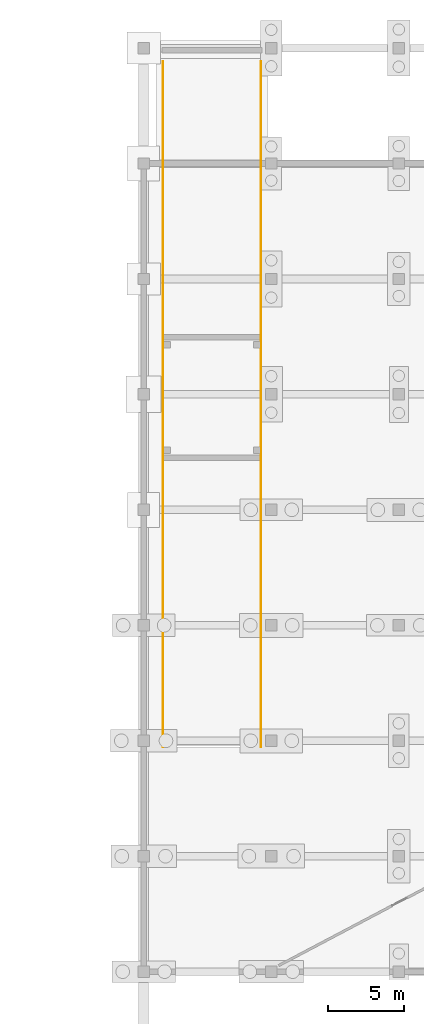
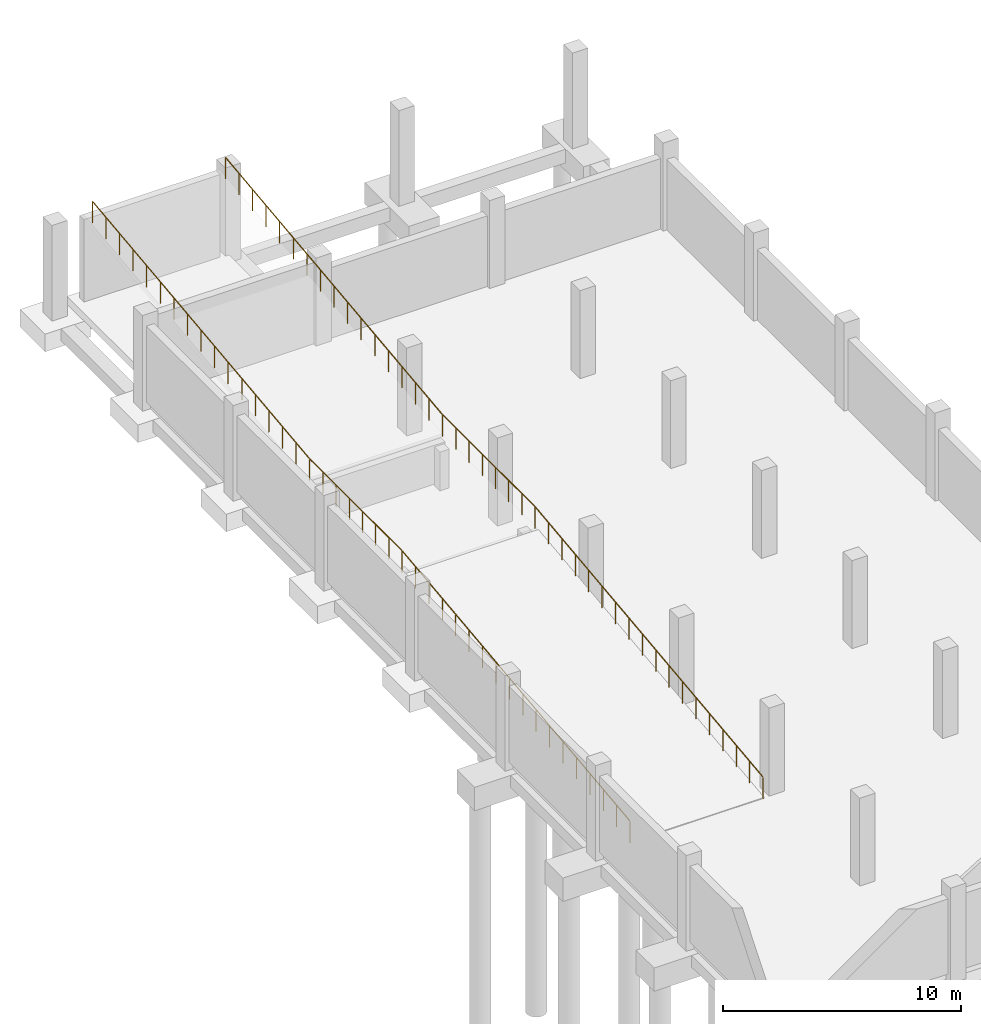
# One storey, part 21 of 22: 2 railings.
"""IFC4 building model written with IfcOpenShell, lengths in metres."""

from ifc_helpers import new_model, si_unit, direction, frame, origin, origin_2d, place, context, subcontext, project, spatial, circle, extrude, material, type_object, element, save


model = new_model("IFC4")

# Units and contexts
model_context = context("Model", 3, precision=1e-05, world=origin(), true_north=direction((0.0, 1.0)))
body_context = subcontext(model_context, "Body", "Model", "MODEL_VIEW")
ifc_project = project(units=[si_unit("LENGTHUNIT", "METRE"), si_unit("AREAUNIT", "SQUARE_METRE"), si_unit("VOLUMEUNIT", "CUBIC_METRE"), si_unit("PLANEANGLEUNIT", "RADIAN"), si_unit("MASSUNIT", "GRAM", prefix="KILO")], contexts=[model_context])

# Site, building, storey
site_placement = place(None, origin())
site = spatial("IfcSite", under=ifc_project, at=site_placement, CompositionType="ELEMENT")
building_placement = place(site_placement, origin())
building = spatial("IfcBuilding", under=site, at=building_placement, Name="Zuvorla Pavilion Media Centre", CompositionType="ELEMENT")
storey_placement = place(building_placement, frame((0.0, 0.0, -4.5)))
storey = spatial("IfcBuildingStorey", under=building, at=storey_placement, Name="B01", CompositionType="ELEMENT", Elevation=-4.5)

# Railings
ifc_material = material(Name="Powder-coated steel balustrade guard", Category="steel")
railing_type = type_object("IfcRailingType", Name="RL-INT-GRD", PredefinedType="BALUSTRADE", material=ifc_material)
railing_1_placement = place(storey_placement, frame((17.679931640625, 74.0, 0.0)))
element("IfcRailing", 1, at=railing_1_placement, inside=storey, type_object=railing_type, Name="Car park ramp R1 guard W", PredefinedType="BALUSTRADE", context=body_context, shape_type="SweptSolid", body=[
    extrude(circle(Radius=0.02392578125, at=origin_2d()), frame((0.0, 0.028564453125, 1.099365234375), z_axis=(0.0, 0.993150604323, 0.116841247567), x_axis=(-1.0, 0.0, 0.0)), (0.0, 0.0, 1.0), 19.19921875),
    extrude(circle(Radius=0.02392578125, at=origin_2d()), frame((0.0, 19.15380859375, 3.34619140625), z_axis=(0.0, 1.0, 0.0), x_axis=(-1.0, 0.0, 0.0)), (0.0, 0.0, 1.0), 7.6923828125),
    extrude(circle(Radius=0.02392578125, at=origin_2d()), frame((0.0, 26.903564453125, 3.349365234375), z_axis=(0.0, 0.993177368751, 0.116613524944), x_axis=(-1.0, 0.0, 0.0)), (0.0, 0.0, 1.0), 18.29248046875),
    extrude(circle(Radius=0.02099609375, at=origin_2d()), origin(), (0.0, 0.0, 1.0), 1.070068359375),
    extrude(circle(Radius=0.02099609375, at=origin_2d()), frame((0.0, 1.125, 0.13232421875)), (0.0, 0.0, 1.0), 1.070068359375),
    extrude(circle(Radius=0.02099609375, at=origin_2d()), frame((0.0, 2.25, 0.2646484375)), (0.0, 0.0, 1.0), 1.070068359375),
    extrude(circle(Radius=0.02099609375, at=origin_2d()), frame((0.0, 3.375, 0.39697265625)), (0.0, 0.0, 1.0), 1.070068359375),
    extrude(circle(Radius=0.02099609375, at=origin_2d()), frame((0.0, 4.5, 0.529296875)), (0.0, 0.0, 1.0), 1.070068359375),
    extrude(circle(Radius=0.02099609375, at=origin_2d()), frame((0.0, 5.625, 0.661865234375)), (0.0, 0.0, 1.0), 1.070068359375),
    extrude(circle(Radius=0.02099609375, at=origin_2d()), frame((0.0, 6.75, 0.794189453125)), (0.0, 0.0, 1.0), 1.070068359375),
    extrude(circle(Radius=0.02099609375, at=origin_2d()), frame((0.0, 7.875, 0.926513671875)), (0.0, 0.0, 1.0), 1.070068359375),
    extrude(circle(Radius=0.02099609375, at=origin_2d()), frame((0.0, 9.0, 1.058837890625)), (0.0, 0.0, 1.0), 1.070068359375),
    extrude(circle(Radius=0.02099609375, at=origin_2d()), frame((0.0, 10.125, 1.191162109375)), (0.0, 0.0, 1.0), 1.070068359375),
    extrude(circle(Radius=0.02099609375, at=origin_2d()), frame((0.0, 11.25, 1.323486328125)), (0.0, 0.0, 1.0), 1.070068359375),
    extrude(circle(Radius=0.02099609375, at=origin_2d()), frame((0.0, 12.375, 1.455810546875)), (0.0, 0.0, 1.0), 1.070068359375),
    extrude(circle(Radius=0.02099609375, at=origin_2d()), frame((0.0, 13.5, 1.588134765625)), (0.0, 0.0, 1.0), 1.070068359375),
    extrude(circle(Radius=0.02099609375, at=origin_2d()), frame((0.0, 14.625, 1.720703125)), (0.0, 0.0, 1.0), 1.070068359375),
    extrude(circle(Radius=0.02099609375, at=origin_2d()), frame((0.0, 15.75, 1.85302734375)), (0.0, 0.0, 1.0), 1.070068359375),
    extrude(circle(Radius=0.02099609375, at=origin_2d()), frame((0.0, 16.875, 1.9853515625)), (0.0, 0.0, 1.0), 1.070068359375),
    extrude(circle(Radius=0.02099609375, at=origin_2d()), frame((0.0, 18.0, 2.11767578125)), (0.0, 0.0, 1.0), 1.070068359375),
    extrude(circle(Radius=0.02099609375, at=origin_2d()), frame((0.0, 19.125, 2.25)), (0.0, 0.0, 1.0), 1.070068359375),
    extrude(circle(Radius=0.02099609375, at=origin_2d()), frame((0.0, 20.232177734375, 2.25)), (0.0, 0.0, 1.0), 1.070068359375),
    extrude(circle(Radius=0.02099609375, at=origin_2d()), frame((0.0, 21.33935546875, 2.25)), (0.0, 0.0, 1.0), 1.070068359375),
    extrude(circle(Radius=0.02099609375, at=origin_2d()), frame((0.0, 22.446533203125, 2.25)), (0.0, 0.0, 1.0), 1.070068359375),
    extrude(circle(Radius=0.02099609375, at=origin_2d()), frame((0.0, 23.553466796875, 2.25)), (0.0, 0.0, 1.0), 1.070068359375),
    extrude(circle(Radius=0.02099609375, at=origin_2d()), frame((0.0, 24.66064453125, 2.25)), (0.0, 0.0, 1.0), 1.070068359375),
    extrude(circle(Radius=0.02099609375, at=origin_2d()), frame((0.0, 25.767822265625, 2.25)), (0.0, 0.0, 1.0), 1.070068359375),
    extrude(circle(Radius=0.02099609375, at=origin_2d()), frame((0.0, 26.875, 2.25)), (0.0, 0.0, 1.0), 1.070068359375),
    extrude(circle(Radius=0.02099609375, at=origin_2d()), frame((0.0, 28.01416015625, 2.3837890625)), (0.0, 0.0, 1.0), 1.070068359375),
    extrude(circle(Radius=0.02099609375, at=origin_2d()), frame((0.0, 29.153076171875, 2.517578125)), (0.0, 0.0, 1.0), 1.070068359375),
    extrude(circle(Radius=0.02099609375, at=origin_2d()), frame((0.0, 30.292236328125, 2.651123046875)), (0.0, 0.0, 1.0), 1.070068359375),
    extrude(circle(Radius=0.02099609375, at=origin_2d()), frame((0.0, 31.43115234375, 2.784912109375)), (0.0, 0.0, 1.0), 1.070068359375),
    extrude(circle(Radius=0.02099609375, at=origin_2d()), frame((0.0, 32.5703125, 2.918701171875)), (0.0, 0.0, 1.0), 1.070068359375),
    extrude(circle(Radius=0.02099609375, at=origin_2d()), frame((0.0, 33.70947265625, 3.052490234375)), (0.0, 0.0, 1.0), 1.070068359375),
    extrude(circle(Radius=0.02099609375, at=origin_2d()), frame((0.0, 34.848388671875, 3.186279296875)), (0.0, 0.0, 1.0), 1.070068359375),
    extrude(circle(Radius=0.02099609375, at=origin_2d()), frame((0.0, 35.987548828125, 3.31982421875)), (0.0, 0.0, 1.0), 1.070068359375),
    extrude(circle(Radius=0.02099609375, at=origin_2d()), frame((0.0, 37.126708984375, 3.45361328125)), (0.0, 0.0, 1.0), 1.070068359375),
    extrude(circle(Radius=0.02099609375, at=origin_2d()), frame((0.0, 38.265625, 3.58740234375)), (0.0, 0.0, 1.0), 1.070068359375),
    extrude(circle(Radius=0.02099609375, at=origin_2d()), frame((0.0, 39.40478515625, 3.72119140625)), (0.0, 0.0, 1.0), 1.070068359375),
    extrude(circle(Radius=0.02099609375, at=origin_2d()), frame((0.0, 40.5439453125, 3.85498046875)), (0.0, 0.0, 1.0), 1.070068359375),
    extrude(circle(Radius=0.02099609375, at=origin_2d()), frame((0.0, 41.682861328125, 3.98876953125)), (0.0, 0.0, 1.0), 1.070068359375),
    extrude(circle(Radius=0.02099609375, at=origin_2d()), frame((0.0, 42.822021484375, 4.122314453125)), (0.0, 0.0, 1.0), 1.070068359375),
    extrude(circle(Radius=0.02099609375, at=origin_2d()), frame((0.0, 43.9609375, 4.256103515625)), (0.0, 0.0, 1.0), 1.070068359375),
    extrude(circle(Radius=0.02099609375, at=origin_2d()), frame((0.0, 45.10009765625, 4.389892578125)), (0.0, 0.0, 1.0), 1.070068359375),
])
railing_2_placement = place(storey_placement, frame((24.1201171875, 74.0, 0.0)))
element("IfcRailing", 2, at=railing_2_placement, inside=storey, type_object=railing_type, Name="Car park ramp R1 guard E", PredefinedType="BALUSTRADE", context=body_context, shape_type="SweptSolid", body=[
    extrude(circle(Radius=0.02392578125, at=origin_2d()), frame((0.0, 0.028564453125, 1.099365234375), z_axis=(0.0, 0.993150604323, 0.116841247567), x_axis=(-1.0, 0.0, 0.0)), (0.0, 0.0, 1.0), 19.19921875),
    extrude(circle(Radius=0.02392578125, at=origin_2d()), frame((0.0, 19.15380859375, 3.34619140625), z_axis=(0.0, 1.0, 0.0), x_axis=(-1.0, 0.0, 0.0)), (0.0, 0.0, 1.0), 7.6923828125),
    extrude(circle(Radius=0.02392578125, at=origin_2d()), frame((0.0, 26.903564453125, 3.349365234375), z_axis=(0.0, 0.993177368751, 0.116613524944), x_axis=(-1.0, 0.0, 0.0)), (0.0, 0.0, 1.0), 18.29248046875),
    extrude(circle(Radius=0.02099609375, at=origin_2d()), origin(), (0.0, 0.0, 1.0), 1.070068359375),
    extrude(circle(Radius=0.02099609375, at=origin_2d()), frame((0.0, 1.125, 0.13232421875)), (0.0, 0.0, 1.0), 1.070068359375),
    extrude(circle(Radius=0.02099609375, at=origin_2d()), frame((0.0, 2.25, 0.2646484375)), (0.0, 0.0, 1.0), 1.070068359375),
    extrude(circle(Radius=0.02099609375, at=origin_2d()), frame((0.0, 3.375, 0.39697265625)), (0.0, 0.0, 1.0), 1.070068359375),
    extrude(circle(Radius=0.02099609375, at=origin_2d()), frame((0.0, 4.5, 0.529296875)), (0.0, 0.0, 1.0), 1.070068359375),
    extrude(circle(Radius=0.02099609375, at=origin_2d()), frame((0.0, 5.625, 0.661865234375)), (0.0, 0.0, 1.0), 1.070068359375),
    extrude(circle(Radius=0.02099609375, at=origin_2d()), frame((0.0, 6.75, 0.794189453125)), (0.0, 0.0, 1.0), 1.070068359375),
    extrude(circle(Radius=0.02099609375, at=origin_2d()), frame((0.0, 7.875, 0.926513671875)), (0.0, 0.0, 1.0), 1.070068359375),
    extrude(circle(Radius=0.02099609375, at=origin_2d()), frame((0.0, 9.0, 1.058837890625)), (0.0, 0.0, 1.0), 1.070068359375),
    extrude(circle(Radius=0.02099609375, at=origin_2d()), frame((0.0, 10.125, 1.191162109375)), (0.0, 0.0, 1.0), 1.070068359375),
    extrude(circle(Radius=0.02099609375, at=origin_2d()), frame((0.0, 11.25, 1.323486328125)), (0.0, 0.0, 1.0), 1.070068359375),
    extrude(circle(Radius=0.02099609375, at=origin_2d()), frame((0.0, 12.375, 1.455810546875)), (0.0, 0.0, 1.0), 1.070068359375),
    extrude(circle(Radius=0.02099609375, at=origin_2d()), frame((0.0, 13.5, 1.588134765625)), (0.0, 0.0, 1.0), 1.070068359375),
    extrude(circle(Radius=0.02099609375, at=origin_2d()), frame((0.0, 14.625, 1.720703125)), (0.0, 0.0, 1.0), 1.070068359375),
    extrude(circle(Radius=0.02099609375, at=origin_2d()), frame((0.0, 15.75, 1.85302734375)), (0.0, 0.0, 1.0), 1.070068359375),
    extrude(circle(Radius=0.02099609375, at=origin_2d()), frame((0.0, 16.875, 1.9853515625)), (0.0, 0.0, 1.0), 1.070068359375),
    extrude(circle(Radius=0.02099609375, at=origin_2d()), frame((0.0, 18.0, 2.11767578125)), (0.0, 0.0, 1.0), 1.070068359375),
    extrude(circle(Radius=0.02099609375, at=origin_2d()), frame((0.0, 19.125, 2.25)), (0.0, 0.0, 1.0), 1.070068359375),
    extrude(circle(Radius=0.02099609375, at=origin_2d()), frame((0.0, 20.232177734375, 2.25)), (0.0, 0.0, 1.0), 1.070068359375),
    extrude(circle(Radius=0.02099609375, at=origin_2d()), frame((0.0, 21.33935546875, 2.25)), (0.0, 0.0, 1.0), 1.070068359375),
    extrude(circle(Radius=0.02099609375, at=origin_2d()), frame((0.0, 22.446533203125, 2.25)), (0.0, 0.0, 1.0), 1.070068359375),
    extrude(circle(Radius=0.02099609375, at=origin_2d()), frame((0.0, 23.553466796875, 2.25)), (0.0, 0.0, 1.0), 1.070068359375),
    extrude(circle(Radius=0.02099609375, at=origin_2d()), frame((0.0, 24.66064453125, 2.25)), (0.0, 0.0, 1.0), 1.070068359375),
    extrude(circle(Radius=0.02099609375, at=origin_2d()), frame((0.0, 25.767822265625, 2.25)), (0.0, 0.0, 1.0), 1.070068359375),
    extrude(circle(Radius=0.02099609375, at=origin_2d()), frame((0.0, 26.875, 2.25)), (0.0, 0.0, 1.0), 1.070068359375),
    extrude(circle(Radius=0.02099609375, at=origin_2d()), frame((0.0, 28.01416015625, 2.3837890625)), (0.0, 0.0, 1.0), 1.070068359375),
    extrude(circle(Radius=0.02099609375, at=origin_2d()), frame((0.0, 29.153076171875, 2.517578125)), (0.0, 0.0, 1.0), 1.070068359375),
    extrude(circle(Radius=0.02099609375, at=origin_2d()), frame((0.0, 30.292236328125, 2.651123046875)), (0.0, 0.0, 1.0), 1.070068359375),
    extrude(circle(Radius=0.02099609375, at=origin_2d()), frame((0.0, 31.43115234375, 2.784912109375)), (0.0, 0.0, 1.0), 1.070068359375),
    extrude(circle(Radius=0.02099609375, at=origin_2d()), frame((0.0, 32.5703125, 2.918701171875)), (0.0, 0.0, 1.0), 1.070068359375),
    extrude(circle(Radius=0.02099609375, at=origin_2d()), frame((0.0, 33.70947265625, 3.052490234375)), (0.0, 0.0, 1.0), 1.070068359375),
    extrude(circle(Radius=0.02099609375, at=origin_2d()), frame((0.0, 34.848388671875, 3.186279296875)), (0.0, 0.0, 1.0), 1.070068359375),
    extrude(circle(Radius=0.02099609375, at=origin_2d()), frame((0.0, 35.987548828125, 3.31982421875)), (0.0, 0.0, 1.0), 1.070068359375),
    extrude(circle(Radius=0.02099609375, at=origin_2d()), frame((0.0, 37.126708984375, 3.45361328125)), (0.0, 0.0, 1.0), 1.070068359375),
    extrude(circle(Radius=0.02099609375, at=origin_2d()), frame((0.0, 38.265625, 3.58740234375)), (0.0, 0.0, 1.0), 1.070068359375),
    extrude(circle(Radius=0.02099609375, at=origin_2d()), frame((0.0, 39.40478515625, 3.72119140625)), (0.0, 0.0, 1.0), 1.070068359375),
    extrude(circle(Radius=0.02099609375, at=origin_2d()), frame((0.0, 40.5439453125, 3.85498046875)), (0.0, 0.0, 1.0), 1.070068359375),
    extrude(circle(Radius=0.02099609375, at=origin_2d()), frame((0.0, 41.682861328125, 3.98876953125)), (0.0, 0.0, 1.0), 1.070068359375),
    extrude(circle(Radius=0.02099609375, at=origin_2d()), frame((0.0, 42.822021484375, 4.122314453125)), (0.0, 0.0, 1.0), 1.070068359375),
    extrude(circle(Radius=0.02099609375, at=origin_2d()), frame((0.0, 43.9609375, 4.256103515625)), (0.0, 0.0, 1.0), 1.070068359375),
    extrude(circle(Radius=0.02099609375, at=origin_2d()), frame((0.0, 45.10009765625, 4.389892578125)), (0.0, 0.0, 1.0), 1.070068359375),
])

save(model, "model.ifc")
